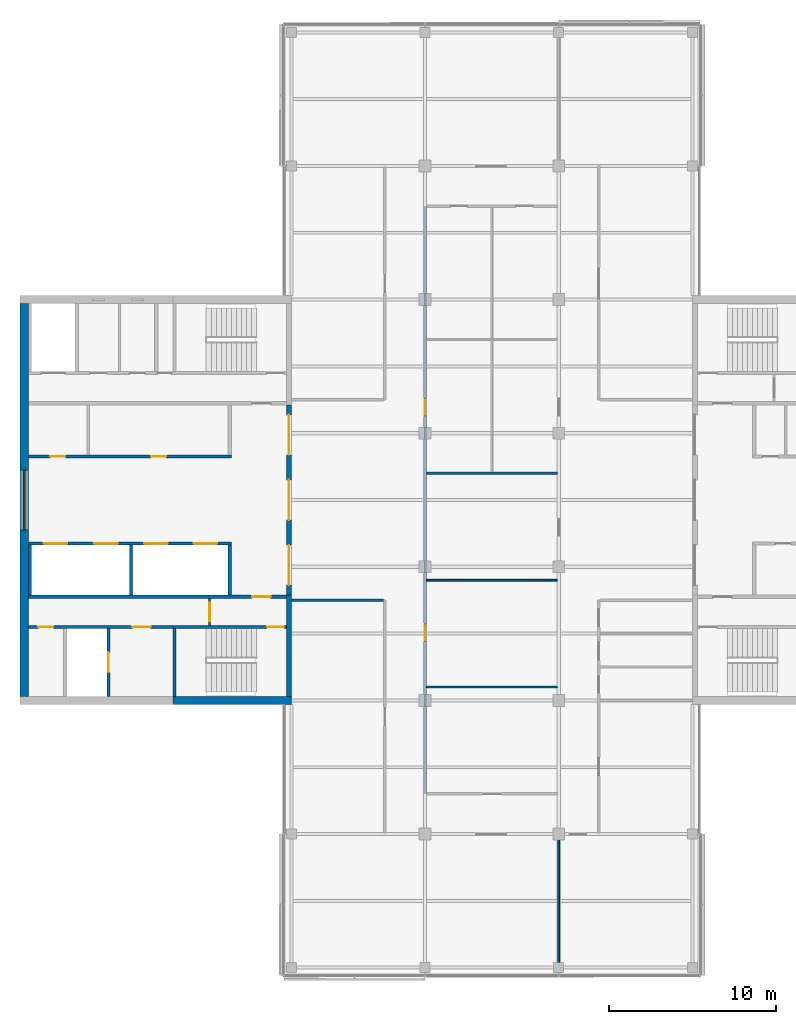
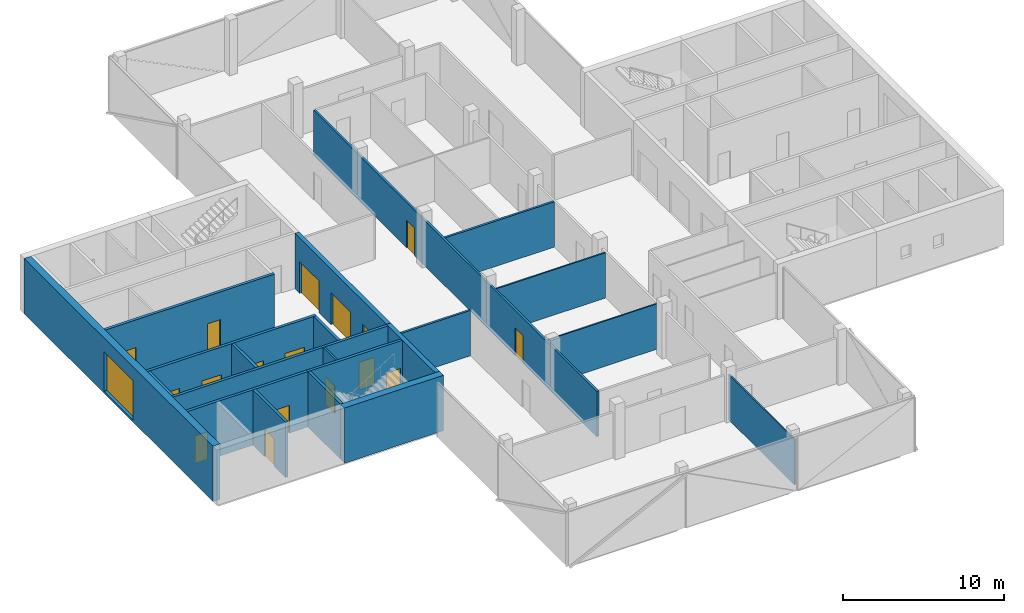
# One storey, part 9 of 15: 21 walls, 17 doors, 1 window, 18 openings.
"""IFC4 building model written with IfcOpenShell, lengths in metres."""

import ifcopenshell
import ifcopenshell.guid

model = None  # the IFC model being written
_history = None  # IfcOwnerHistory: only IFC2X3 demands one
_inside = {}  # id of a spatial element -> (the spatial element, [elements in it])
_under = {}  # id of a project, library or spatial element -> (it, [spatial elements below it])
_declared = {}  # id of a project -> (the project, [libraries it declares])
_typed = {}  # id of a type object -> (the type object, [elements of that type])
_made_of = {}  # id of a material, layer set ... -> (it, [elements and type objects made of it])


def new_model(schema):
    """Start an empty IFC model of exactly this schema.

    Asked for "IFC4X3", IfcOpenShell would pick the latest addendum, in which some entities
    have other attributes; the version numbers below select the first issue.
    IFC2X3 requires an IfcOwnerHistory on every rooted entity: one is made here for all.
    """
    global model, _history
    if schema == "IFC4X3":
        model = ifcopenshell.file(schema_version=(4, 3, 0, 0))
    else:
        model = ifcopenshell.file(schema=schema)
    _inside.clear()
    _under.clear()
    _declared.clear()
    _typed.clear()
    _made_of.clear()
    _history = None
    if model.schema == "IFC2X3":
        org = make("IfcOrganization", Name="unknown")
        user = make(
            "IfcPersonAndOrganization",
            ThePerson=make("IfcPerson", FamilyName="unknown"),
            TheOrganization=org,
        )
        app = make(
            "IfcApplication",
            ApplicationDeveloper=org,
            Version="unknown",
            ApplicationFullName="unknown",
            ApplicationIdentifier="unknown",
        )
        _history = make(
            "IfcOwnerHistory",
            OwningUser=user,
            OwningApplication=app,
            ChangeAction="ADDED",
            CreationDate=0,
        )
    return model


def make(cls, **values):
    """One entity of the class cls with the attributes given. An attribute that is None is left unset."""
    return model.create_entity(
        cls, **{name: value for name, value in values.items() if value is not None}
    )


def rooted(cls, **values):
    """An entity with a GlobalId (a new one), such as an element, a storey or a relation."""
    return make(cls, GlobalId=ifcopenshell.guid.new(), OwnerHistory=_history, **values)


def si_unit(unit_type, name, prefix=None):
    """IfcSIUnit, for example si_unit("LENGTHUNIT", "METRE", prefix="MILLI")."""
    return make("IfcSIUnit", UnitType=unit_type, Prefix=prefix, Name=name)


def assignment(units):
    """IfcUnitAssignment: the units of a project."""
    return None if units is None else make("IfcUnitAssignment", Units=units)


def point(xyz):
    """IfcCartesianPoint."""
    return None if xyz is None else make("IfcCartesianPoint", Coordinates=xyz)


def direction(xyz):
    """IfcDirection."""
    return None if xyz is None else make("IfcDirection", DirectionRatios=xyz)


def frame(location, z_axis=None, x_axis=None):
    """IfcAxis2Placement3D, a coordinate frame: its origin and axes. An axis left out is left unset."""
    return make(
        "IfcAxis2Placement3D",
        Location=point(location),
        Axis=direction(z_axis),
        RefDirection=direction(x_axis),
    )


def frame_2d(location, x_axis=None):
    """IfcAxis2Placement2D, a coordinate frame in the plane: its origin and x axis."""
    return make(
        "IfcAxis2Placement2D", Location=point(location), RefDirection=direction(x_axis)
    )


def origin():
    """The frame at (0, 0, 0) with its axes left unset."""
    return frame((0.0, 0.0, 0.0))


def place(relative_to, where):
    """IfcLocalPlacement: puts the frame where relative to a parent placement (None: the world)."""
    return make(
        "IfcLocalPlacement", PlacementRelTo=relative_to, RelativePlacement=where
    )


def context(
    kind, dimensions, precision=None, world=None, true_north=None, identifier=None
):
    """IfcGeometricRepresentationContext, for example the 3D "Model" context."""
    return make(
        "IfcGeometricRepresentationContext",
        ContextIdentifier=identifier,
        ContextType=kind,
        CoordinateSpaceDimension=dimensions,
        Precision=precision,
        WorldCoordinateSystem=world,
        TrueNorth=true_north,
    )


def subcontext(parent, identifier, kind, view, scale=None):
    """IfcGeometricRepresentationSubContext, for example "Body" below "Model"."""
    return make(
        "IfcGeometricRepresentationSubContext",
        ContextIdentifier=identifier,
        ContextType=kind,
        ParentContext=parent,
        TargetScale=scale,
        TargetView=view,
    )


def project(units=None, contexts=None):
    """IfcProject with its units and contexts."""
    return rooted(
        "IfcProject",
        Name="project",
        RepresentationContexts=contexts,
        UnitsInContext=assignment(units),
    )


def spatial(cls, under=None, at=None, **own):
    """A site, building, storey or space (cls), placed at a placement, below another one or the project."""
    s = rooted(cls, ObjectPlacement=at, **own)
    if under is not None:
        _under.setdefault(under.id(), (under, []))[1].append(s)
    return s


def profile(cls, at=None, kind="AREA", **sizes):
    """A parametric profile (cls). Its sizes go by their IFC names, for example OverallWidth=200.0."""
    return make(cls, ProfileType=kind, Position=at, **sizes)


def rectangle(**sizes):
    """IfcRectangleProfileDef."""
    return profile("IfcRectangleProfileDef", **sizes)


def extrude(swept, where, along, depth):
    """IfcExtrudedAreaSolid: the profile swept, set in the frame where, extruded along a direction by depth."""
    return make(
        "IfcExtrudedAreaSolid",
        SweptArea=swept,
        Position=where,
        ExtrudedDirection=direction(along),
        Depth=depth,
    )


def shape(context_of_items, identifier, shape_type, items):
    """IfcShapeRepresentation: the items that make up one representation, for example the "Body"."""
    return make(
        "IfcShapeRepresentation",
        ContextOfItems=context_of_items,
        RepresentationIdentifier=identifier,
        RepresentationType=shape_type,
        Items=items,
    )


def material(Name=None, Category=None):
    """IfcMaterial."""
    return make("IfcMaterial", Name=Name, Category=Category)


def layer(
    of_material, thickness, ventilated=None, Name=None, Category=None, Priority=None
):
    """IfcMaterialLayer: one layer of a wall or slab, of a material (None: an air gap)."""
    return make(
        "IfcMaterialLayer",
        Material=of_material,
        LayerThickness=thickness,
        IsVentilated=ventilated,
        Name=Name,
        Category=Category,
        Priority=Priority,
    )


def layer_set(layers, Name=None):
    """IfcMaterialLayerSet."""
    return make("IfcMaterialLayerSet", MaterialLayers=layers, LayerSetName=Name)


def constituent(of_material, Name=None, Category=None, fraction=None):
    """IfcMaterialConstituent: one of the materials an element consists of."""
    return make(
        "IfcMaterialConstituent",
        Name=Name,
        Material=of_material,
        Fraction=fraction,
        Category=Category,
    )


def constituent_set(constituents=None, Name=None):
    """IfcMaterialConstituentSet."""
    return make(
        "IfcMaterialConstituentSet", Name=Name, MaterialConstituents=constituents
    )


def made_of(thing, what):
    """Note that an element or type object is made of a material, layer set ...; save() writes the relation."""
    if what is not None:
        _made_of.setdefault(what.id(), (what, []))[1].append(thing)
    return thing


def type_object(cls, material=None, **own):
    """A type object (cls), such as IfcWallType, which elements share."""
    return made_of(rooted(cls, **own), material)


def element(
    cls,
    number,
    at=None,
    inside=None,
    cuts=None,
    type_object=None,
    material=None,
    context=None,
    identifier="Body",
    shape_type=None,
    held_by="IfcProductDefinitionShape",
    body=None,
    shapes=None,
    **own,
):
    """One element of the class cls, such as IfcWall. Its Tag is "e" and its number.

    at: its placement. inside: the storey or other place that contains it. cuts: it is an
    opening in that element (IfcRelVoidsElement). A single representation is given by context,
    identifier, shape_type and body (its items); several are given by shapes. held_by: the class
    of the entity that holds the representations. save() writes the other relations.
    """
    e = rooted(cls, Tag="e%d" % number, ObjectPlacement=at, **own)
    if body is not None:
        shapes = [shape(context, identifier, shape_type, body)]
    if shapes is not None:
        e.Representation = make(held_by, Representations=shapes)
    if inside is not None:
        _inside.setdefault(inside.id(), (inside, []))[1].append(e)
    if cuts is not None:
        rooted(
            "IfcRelVoidsElement", RelatingBuildingElement=cuts, RelatedOpeningElement=e
        )
    if type_object is not None:
        _typed.setdefault(type_object.id(), (type_object, []))[1].append(e)
    return made_of(e, material)


def fill(opening, filler):
    """IfcRelFillsElement: the door or window that sits in an opening."""
    return rooted(
        "IfcRelFillsElement",
        RelatingOpeningElement=opening,
        RelatedBuildingElement=filler,
    )


def aggregate(whole, parts):
    """IfcRelAggregates: a whole, such as a stair, and the parts it consists of."""
    return rooted("IfcRelAggregates", RelatingObject=whole, RelatedObjects=parts)


def save(model, path):
    """Write the relations noted so far, then the file.

    IfcRelAggregates (storeys below a building ...), IfcRelContainedInSpatialStructure (elements
    in a storey), IfcRelDefinesByType, IfcRelAssociatesMaterial and IfcRelDeclares: one each for
    every whole, place, type object, material and project.
    """
    for whole, parts in _under.values():
        aggregate(whole, parts)
    for where, things in _inside.values():
        rooted(
            "IfcRelContainedInSpatialStructure",
            RelatedElements=things,
            RelatingStructure=where,
        )
    for kind, things in _typed.values():
        rooted("IfcRelDefinesByType", RelatedObjects=things, RelatingType=kind)
    for what, things in _made_of.values():
        rooted("IfcRelAssociatesMaterial", RelatedObjects=things, RelatingMaterial=what)
    for by, libraries in _declared.values():
        rooted("IfcRelDeclares", RelatingContext=by, RelatedDefinitions=libraries)
    model.write(path)


model = new_model("IFC4")

# Units and contexts
model_context = context("Model", 3, precision=1e-05, world=origin(), true_north=direction((0.0, 1.0)))
body_context = subcontext(model_context, "Body", "Model", "MODEL_VIEW")
ifc_project = project(units=[si_unit("LENGTHUNIT", "METRE"), si_unit("AREAUNIT", "SQUARE_METRE"), si_unit("VOLUMEUNIT", "CUBIC_METRE"), si_unit("PLANEANGLEUNIT", "RADIAN"), si_unit("MASSUNIT", "GRAM", prefix="KILO")], contexts=[model_context])

# Site, building, storey
site_placement = place(None, origin())
site = spatial("IfcSite", under=ifc_project, at=site_placement, CompositionType="ELEMENT")
building_placement = place(site_placement, origin())
building = spatial("IfcBuilding", under=site, at=building_placement, Name="Crosswind Convention Tower", CompositionType="ELEMENT")
storey_placement = place(building_placement, frame((0.0, 0.0, 257.699951171875)))
storey = spatial("IfcBuildingStorey", under=building, at=storey_placement, Name="L55", CompositionType="ELEMENT", Elevation=257.699951171875)

# Wall, openings, doors
ifc_material_1 = material(Name="Concrete C50/60", Category="concrete")
ifc_layer_1 = layer(ifc_material_1, 0.300048828125)
ifc_layer_set_1 = layer_set([ifc_layer_1], Name="Concrete C50/60")
wall_type_1 = type_object("IfcWallType", Name="Concrete inner core wall 300", PredefinedType="SHEAR", material=ifc_layer_set_1)
wall_1_placement = place(storey_placement, frame((112.85009765625, 105.699951171875, 0.0), z_axis=(0.0, 0.0, 1.0), x_axis=(0.0, -1.0, 0.0)))
wall_1 = element("IfcWall", 1, at=wall_1_placement, inside=storey, type_object=wall_type_1, Name="Wall SCR W L55", PredefinedType="SHEAR", context=body_context, shape_type="SweptSolid", body=[
    extrude(rectangle(XDim=11.39990234375, YDim=0.300048828125, at=frame_2d((5.699951171875, 0.0))), origin(), (0.0, 0.0, 1.0), 4.199951171875),
])
opening_1_placement = place(wall_1_placement, frame((0.60009765625, 0.0, 0.0)))
opening_1 = element("IfcOpeningElement", 2, at=opening_1_placement, cuts=wall_1, Name="Opening D100", PredefinedType="OPENING", context=body_context, shape_type="SweptSolid", body=[
    extrude(rectangle(XDim=2.39990234375, YDim=2.39990234375, at=frame_2d((1.199951171875, 1.199951171875))), frame((0.0, 0.159912109375, 0.0), z_axis=(0.0, -1.0, 0.0), x_axis=(1.0, 0.0, 0.0)), (0.0, 0.0, 1.0), 0.320068359375),
])
opening_2_placement = place(wall_1_placement, frame((4.5, 0.0, 0.0)))
opening_2 = element("IfcOpeningElement", 3, at=opening_2_placement, cuts=wall_1, Name="Opening D100", PredefinedType="OPENING", context=body_context, shape_type="SweptSolid", body=[
    extrude(rectangle(XDim=2.39990234375, YDim=2.39990234375, at=frame_2d((1.199951171875, 1.199951171875))), frame((0.0, 0.159912109375, 0.0), z_axis=(0.0, -1.0, 0.0), x_axis=(1.0, 0.0, 0.0)), (0.0, 0.0, 1.0), 0.320068359375),
])
opening_3_placement = place(wall_1_placement, frame((8.39990234375, 0.0, 0.0)))
opening_3 = element("IfcOpeningElement", 4, at=opening_3_placement, cuts=wall_1, Name="Opening D100", PredefinedType="OPENING", context=body_context, shape_type="SweptSolid", body=[
    extrude(rectangle(XDim=2.39990234375, YDim=2.39990234375, at=frame_2d((1.199951171875, 1.199951171875))), frame((0.0, 0.159912109375, 0.0), z_axis=(0.0, -1.0, 0.0), x_axis=(1.0, 0.0, 0.0)), (0.0, 0.0, 1.0), 0.320068359375),
])
ifc_material_2 = material(Name="Steel fire door with glazed vision panels", Category="steel")
door_type_1 = type_object("IfcDoorType", Name="Fire-rated double door 2400x2400", OperationType="DOUBLE_DOOR_SINGLE_SWING", PredefinedType="DOOR", material=ifc_material_2)
door_1_placement = place(opening_1_placement, origin())
door_1 = element("IfcDoor", 5, at=door_1_placement, inside=storey, type_object=door_type_1, Name="Lobby door 1 L55", ObjectType="D100", OperationType="DOUBLE_DOOR_SINGLE_SWING", OverallHeight=2.39990234375, OverallWidth=2.39990234375, PredefinedType="DOOR", context=body_context, shape_type="SweptSolid", body=[
    extrude(rectangle(XDim=2.39990234375, YDim=2.39990234375, at=frame_2d((1.199951171875, 1.199951171875))), frame((0.0, 0.02490234375, 0.0), z_axis=(0.0, -1.0, 0.0), x_axis=(1.0, 0.0, 0.0)), (0.0, 0.0, 1.0), 0.050048828125),
])
fill(opening_1, door_1)
door_2_placement = place(opening_2_placement, origin())
door_2 = element("IfcDoor", 6, at=door_2_placement, inside=storey, type_object=door_type_1, Name="Lobby door 2 L55", ObjectType="D100", OperationType="DOUBLE_DOOR_SINGLE_SWING", OverallHeight=2.39990234375, OverallWidth=2.39990234375, PredefinedType="DOOR", context=body_context, shape_type="SweptSolid", body=[
    extrude(rectangle(XDim=2.39990234375, YDim=2.39990234375, at=frame_2d((1.199951171875, 1.199951171875))), frame((0.0, 0.02490234375, 0.0), z_axis=(0.0, -1.0, 0.0), x_axis=(1.0, 0.0, 0.0)), (0.0, 0.0, 1.0), 0.050048828125),
])
fill(opening_2, door_2)
door_3_placement = place(opening_3_placement, origin())
door_3 = element("IfcDoor", 7, at=door_3_placement, inside=storey, type_object=door_type_1, Name="Lobby door 3 L55", ObjectType="D100", OperationType="DOUBLE_DOOR_SINGLE_SWING", OverallHeight=2.39990234375, OverallWidth=2.39990234375, PredefinedType="DOOR", context=body_context, shape_type="SweptSolid", body=[
    extrude(rectangle(XDim=2.39990234375, YDim=2.39990234375, at=frame_2d((1.199951171875, 1.199951171875))), frame((0.0, 0.02490234375, 0.0), z_axis=(0.0, -1.0, 0.0), x_axis=(1.0, 0.0, 0.0)), (0.0, 0.0, 1.0), 0.050048828125),
])
fill(opening_3, door_3)

# Walls
wall_2_placement = place(storey_placement, frame((112.85009765625, 94.300048828125, 0.0), z_axis=(0.0, 0.0, 1.0), x_axis=(0.0, -1.0, 0.0)))
element("IfcWall", 8, at=wall_2_placement, inside=storey, type_object=wall_type_1, Name="Wall EP W L55", PredefinedType="SHEAR", context=body_context, shape_type="SweptSolid", body=[
    extrude(rectangle(XDim=6.050048828125, YDim=0.300048828125, at=frame_2d((3.02490234375, 0.0))), origin(), (0.0, 0.0, 1.0), 4.199951171875),
])
ifc_layer_2 = layer(ifc_material_1, 0.199951171875)
ifc_layer_set_2 = layer_set([ifc_layer_2], Name="Concrete C50/60")
wall_type_2 = type_object("IfcWallType", Name="Concrete shaft and stair wall 200", PredefinedType="SHEAR", material=ifc_layer_set_2)
for number, where, z_axis, x_axis, name in (
    (9, (109.300048828125, 97.300048828125, 0.0), (0.0, 0.0, 1.0), (0.0, -1.0, 0.0), "Wall RPEND W L55"),
    (10, (103.39990234375, 97.300048828125, 0.0), (0.0, 0.0, 1.0), (0.0, -1.0, 0.0), "Wall RPSEP W L55"),
    (11, (97.35009765625, 97.300048828125, 0.0), (0.0, 0.0, 1.0), (0.0, -1.0, 0.0), "Wall RPEAST W L55"),
):
    element("IfcWall", number, at=place(storey_placement, frame(where, z_axis=z_axis, x_axis=x_axis)), inside=storey, type_object=wall_type_2, Name=name, PredefinedType="SHEAR", context=body_context, shape_type="SweptSolid", body=[
        extrude(rectangle(XDim=3.0, YDim=0.199951171875, at=frame_2d((1.5, 0.0))), origin(), (0.0, 0.0, 1.0), 4.199951171875),
    ])

# Wall, openings, doors
wall_3_placement = place(storey_placement, frame((109.39990234375, 97.39990234375, 0.0), z_axis=(0.0, 0.0, 1.0), x_axis=(-1.0, 0.0, 0.0)))
wall_3 = element("IfcWall", 12, at=wall_3_placement, inside=storey, type_object=wall_type_2, Name="Wall RPFRONT W L55", PredefinedType="SHEAR", context=body_context, shape_type="SweptSolid", body=[
    extrude(rectangle(XDim=12.14990234375, YDim=0.199951171875, at=frame_2d((6.074951171875, 0.0))), origin(), (0.0, 0.0, 1.0), 4.199951171875),
])
opening_4_placement = place(wall_3_placement, frame((0.85009765625, 0.0, 0.0)))
opening_4 = element("IfcOpeningElement", 13, at=opening_4_placement, cuts=wall_3, Name="Opening LD2", PredefinedType="OPENING", context=body_context, shape_type="SweptSolid", body=[
    extrude(rectangle(XDim=1.39990234375, YDim=2.10009765625, at=frame_2d((0.699951171875, 1.050048828125))), frame((0.0, 0.10986328125, 0.0), z_axis=(0.0, -1.0, 0.0), x_axis=(1.0, 0.0, 0.0)), (0.0, 0.0, 1.0), 0.219970703125),
])
opening_5_placement = place(wall_3_placement, frame((3.800048828125, 0.0, 0.0)))
opening_5 = element("IfcOpeningElement", 14, at=opening_5_placement, cuts=wall_3, Name="Opening LD2", PredefinedType="OPENING", context=body_context, shape_type="SweptSolid", body=[
    extrude(rectangle(XDim=1.39990234375, YDim=2.10009765625, at=frame_2d((0.699951171875, 1.050048828125))), frame((0.0, 0.10986328125, 0.0), z_axis=(0.0, -1.0, 0.0), x_axis=(1.0, 0.0, 0.0)), (0.0, 0.0, 1.0), 0.219970703125),
])
opening_6_placement = place(wall_3_placement, frame((6.800048828125, 0.0, 0.0)))
opening_6 = element("IfcOpeningElement", 15, at=opening_6_placement, cuts=wall_3, Name="Opening LD2", PredefinedType="OPENING", context=body_context, shape_type="SweptSolid", body=[
    extrude(rectangle(XDim=1.39990234375, YDim=2.10009765625, at=frame_2d((0.699951171875, 1.050048828125))), frame((0.0, 0.10986328125, 0.0), z_axis=(0.0, -1.0, 0.0), x_axis=(1.0, 0.0, 0.0)), (0.0, 0.0, 1.0), 0.219970703125),
])
opening_7_placement = place(wall_3_placement, frame((9.824951171875, 0.0, 0.0)))
opening_7 = element("IfcOpeningElement", 16, at=opening_7_placement, cuts=wall_3, Name="Opening LD2", PredefinedType="OPENING", context=body_context, shape_type="SweptSolid", body=[
    extrude(rectangle(XDim=1.39990234375, YDim=2.10009765625, at=frame_2d((0.699951171875, 1.050048828125))), frame((0.0, 0.10986328125, 0.0), z_axis=(0.0, -1.0, 0.0), x_axis=(1.0, 0.0, 0.0)), (0.0, 0.0, 1.0), 0.219970703125),
])
ifc_material_3 = material(Name="Stainless steel", Category="steel")
door_type_2 = type_object("IfcDoorType", Name="Lift landing door 1400x2100", OperationType="DOUBLE_DOOR_SLIDING", PredefinedType="DOOR", material=ifc_material_3)
door_4_placement = place(opening_4_placement, origin())
door_4 = element("IfcDoor", 17, at=door_4_placement, inside=storey, type_object=door_type_2, Name="Landing door HR1 L55", ObjectType="LD2", OperationType="DOUBLE_DOOR_SLIDING", OverallHeight=2.10009765625, OverallWidth=1.39990234375, PredefinedType="DOOR", context=body_context, shape_type="SweptSolid", body=[
    extrude(rectangle(XDim=1.39990234375, YDim=2.10009765625, at=frame_2d((0.699951171875, 1.050048828125))), frame((0.0, 0.02490234375, 0.0), z_axis=(0.0, -1.0, 0.0), x_axis=(1.0, 0.0, 0.0)), (0.0, 0.0, 1.0), 0.050048828125),
])
fill(opening_4, door_4)
door_5_placement = place(opening_5_placement, origin())
door_5 = element("IfcDoor", 18, at=door_5_placement, inside=storey, type_object=door_type_2, Name="Landing door HR2 L55", ObjectType="LD2", OperationType="DOUBLE_DOOR_SLIDING", OverallHeight=2.10009765625, OverallWidth=1.39990234375, PredefinedType="DOOR", context=body_context, shape_type="SweptSolid", body=[
    extrude(rectangle(XDim=1.39990234375, YDim=2.10009765625, at=frame_2d((0.699951171875, 1.050048828125))), frame((0.0, 0.02490234375, 0.0), z_axis=(0.0, -1.0, 0.0), x_axis=(1.0, 0.0, 0.0)), (0.0, 0.0, 1.0), 0.050048828125),
])
fill(opening_5, door_5)
door_6_placement = place(opening_6_placement, origin())
door_6 = element("IfcDoor", 19, at=door_6_placement, inside=storey, type_object=door_type_2, Name="Landing door HR3 L55", ObjectType="LD2", OperationType="DOUBLE_DOOR_SLIDING", OverallHeight=2.10009765625, OverallWidth=1.39990234375, PredefinedType="DOOR", context=body_context, shape_type="SweptSolid", body=[
    extrude(rectangle(XDim=1.39990234375, YDim=2.10009765625, at=frame_2d((0.699951171875, 1.050048828125))), frame((0.0, 0.02490234375, 0.0), z_axis=(0.0, -1.0, 0.0), x_axis=(1.0, 0.0, 0.0)), (0.0, 0.0, 1.0), 0.050048828125),
])
fill(opening_6, door_6)
door_7_placement = place(opening_7_placement, origin())
door_7 = element("IfcDoor", 20, at=door_7_placement, inside=storey, type_object=door_type_2, Name="Landing door HR4 L55", ObjectType="LD2", OperationType="DOUBLE_DOOR_SLIDING", OverallHeight=2.10009765625, OverallWidth=1.39990234375, PredefinedType="DOOR", context=body_context, shape_type="SweptSolid", body=[
    extrude(rectangle(XDim=1.39990234375, YDim=2.10009765625, at=frame_2d((0.699951171875, 1.050048828125))), frame((0.0, 0.02490234375, 0.0), z_axis=(0.0, -1.0, 0.0), x_axis=(1.0, 0.0, 0.0)), (0.0, 0.0, 1.0), 0.050048828125),
])
fill(opening_7, door_7)

wall_4_placement = place(storey_placement, frame((109.39990234375, 102.60009765625, 0.0), z_axis=(0.0, 0.0, 1.0), x_axis=(-1.0, 0.0, 0.0)))
wall_4 = element("IfcWall", 21, at=wall_4_placement, inside=storey, type_object=wall_type_2, Name="Wall RMFRONT W L55", PredefinedType="SHEAR", context=body_context, shape_type="SweptSolid", body=[
    extrude(rectangle(XDim=12.14990234375, YDim=0.199951171875, at=frame_2d((6.074951171875, 0.0))), origin(), (0.0, 0.0, 1.0), 4.199951171875),
])
opening_8_placement = place(wall_4_placement, frame((3.9013671875, 0.0, 0.0)))
opening_8 = element("IfcOpeningElement", 22, at=opening_8_placement, cuts=wall_4, Name="Opening D106", PredefinedType="OPENING", context=body_context, shape_type="SweptSolid", body=[
    extrude(rectangle(XDim=0.89990234375, YDim=2.10009765625, at=frame_2d((0.449951171875, 1.050048828125))), frame((0.0, 0.10986328125, 0.0), z_axis=(0.0, -1.0, 0.0), x_axis=(1.0, 0.0, 0.0)), (0.0, 0.0, 1.0), 0.219970703125),
])
opening_9_placement = place(wall_4_placement, frame((9.938720703125, 0.0, 0.0)))
opening_9 = element("IfcOpeningElement", 23, at=opening_9_placement, cuts=wall_4, Name="Opening D106", PredefinedType="OPENING", context=body_context, shape_type="SweptSolid", body=[
    extrude(rectangle(XDim=0.89990234375, YDim=2.10009765625, at=frame_2d((0.449951171875, 1.050048828125))), frame((0.0, 0.10986328125, 0.0), z_axis=(0.0, -1.0, 0.0), x_axis=(1.0, 0.0, 0.0)), (0.0, 0.0, 1.0), 0.219970703125),
])
ifc_material_4 = material(Name="Timber door", Category="wood")
door_type_3 = type_object("IfcDoorType", Name="Single leaf door 900x2100", OperationType="NOTDEFINED", PredefinedType="DOOR", material=ifc_material_4)
door_8_placement = place(opening_8_placement, frame((0.89990234375, 0.0, 0.0), z_axis=(0.0, 0.0, 1.0), x_axis=(-1.0, 0.0, 0.0)))
door_8 = element("IfcDoor", 24, at=door_8_placement, inside=storey, type_object=door_type_3, Name="Door to pantry L55", ObjectType="D106", OperationType="SINGLE_SWING_LEFT", OverallHeight=2.10009765625, OverallWidth=0.89990234375, PredefinedType="DOOR", context=body_context, shape_type="SweptSolid", body=[
    extrude(rectangle(XDim=0.89990234375, YDim=2.10009765625, at=frame_2d((0.449951171875, 1.050048828125))), frame((0.0, 0.02490234375, 0.0), z_axis=(0.0, -1.0, 0.0), x_axis=(1.0, 0.0, 0.0)), (0.0, 0.0, 1.0), 0.050048828125),
])
fill(opening_8, door_8)
door_9_placement = place(opening_9_placement, frame((0.89990234375, 0.0, 0.0), z_axis=(0.0, 0.0, 1.0), x_axis=(-1.0, 0.0, 0.0)))
door_9 = element("IfcDoor", 25, at=door_9_placement, inside=storey, type_object=door_type_3, Name="Door to telecoms room L55", ObjectType="D106", OperationType="SINGLE_SWING_LEFT", OverallHeight=2.10009765625, OverallWidth=0.89990234375, PredefinedType="DOOR", context=body_context, shape_type="SweptSolid", body=[
    extrude(rectangle(XDim=0.89990234375, YDim=2.10009765625, at=frame_2d((0.449951171875, 1.050048828125))), frame((0.0, 0.02490234375, 0.0), z_axis=(0.0, -1.0, 0.0), x_axis=(1.0, 0.0, 0.0)), (0.0, 0.0, 1.0), 0.050048828125),
])
fill(opening_9, door_9)

# Wall, opening, door
wall_5_placement = place(storey_placement, frame((112.699951171875, 94.199951171875, 0.0), z_axis=(0.0, 0.0, 1.0), x_axis=(-1.0, 0.0, 0.0)))
wall_5 = element("IfcWall", 26, at=wall_5_placement, inside=storey, type_object=wall_type_2, Name="Wall HP W L55", PredefinedType="SHEAR", context=body_context, shape_type="SweptSolid", body=[
    extrude(rectangle(XDim=15.449951171875, YDim=0.199951171875, at=frame_2d((7.72509765625, 0.0))), origin(), (0.0, 0.0, 1.0), 4.199951171875),
])
opening_10_placement = place(wall_5_placement, frame((0.949951171875, 0.0, 0.0)))
opening_10 = element("IfcOpeningElement", 27, at=opening_10_placement, cuts=wall_5, Name="Opening D104", PredefinedType="OPENING", context=body_context, shape_type="SweptSolid", body=[
    extrude(rectangle(XDim=1.10009765625, YDim=2.10009765625, at=frame_2d((0.550048828125, 1.050048828125))), frame((0.0, 0.10986328125, 0.0), z_axis=(0.0, -1.0, 0.0), x_axis=(1.0, 0.0, 0.0)), (0.0, 0.0, 1.0), 0.219970703125),
])
ifc_material_5 = material(Name="Steel fire door", Category="steel")
door_type_4 = type_object("IfcDoorType", Name="Fire-rated single door 1100x2100", OperationType="NOTDEFINED", PredefinedType="DOOR", material=ifc_material_5)
door_10_placement = place(opening_10_placement, origin())
door_10 = element("IfcDoor", 28, at=door_10_placement, inside=storey, type_object=door_type_4, Name="Corridor door L55", ObjectType="D104", OperationType="SINGLE_SWING_LEFT", OverallHeight=2.10009765625, OverallWidth=1.10009765625, PredefinedType="DOOR", context=body_context, shape_type="SweptSolid", body=[
    extrude(rectangle(XDim=1.10009765625, YDim=2.10009765625, at=frame_2d((0.550048828125, 1.050048828125))), frame((0.0, 0.02490234375, 0.0), z_axis=(0.0, -1.0, 0.0), x_axis=(1.0, 0.0, 0.0)), (0.0, 0.0, 1.0), 0.050048828125),
])
fill(opening_10, door_10)

# Wall
wall_6_placement = place(storey_placement, frame((106.0, 92.300048828125, 0.0), z_axis=(0.0, 0.0, 1.0), x_axis=(0.0, -1.0, 0.0)))
element("IfcWall", 29, at=wall_6_placement, inside=storey, type_object=wall_type_2, Name="Wall PSE W L55", PredefinedType="SHEAR", context=body_context, shape_type="SweptSolid", body=[
    extrude(rectangle(XDim=4.050048828125, YDim=0.199951171875, at=frame_2d((2.02490234375, 0.0))), origin(), (0.0, 0.0, 1.0), 4.199951171875),
])

# Wall, opening, door
wall_7_placement = place(storey_placement, frame((102.050048828125, 92.300048828125, 0.0), z_axis=(0.0, 0.0, 1.0), x_axis=(0.0, -1.0, 0.0)))
wall_7 = element("IfcWall", 30, at=wall_7_placement, inside=storey, type_object=wall_type_2, Name="Wall PFLW W L55", PredefinedType="SHEAR", context=body_context, shape_type="SweptSolid", body=[
    extrude(rectangle(XDim=4.050048828125, YDim=0.199951171875, at=frame_2d((2.02490234375, 0.0))), origin(), (0.0, 0.0, 1.0), 4.199951171875),
])
opening_11_placement = place(wall_7_placement, frame((1.425048828125, 0.0, 0.0)))
opening_11 = element("IfcOpeningElement", 31, at=opening_11_placement, cuts=wall_7, Name="Opening LD1", PredefinedType="OPENING", context=body_context, shape_type="SweptSolid", body=[
    extrude(rectangle(XDim=1.199951171875, YDim=2.10009765625, at=frame_2d((0.60009765625, 1.050048828125))), frame((0.0, 0.10986328125, 0.0), z_axis=(0.0, -1.0, 0.0), x_axis=(1.0, 0.0, 0.0)), (0.0, 0.0, 1.0), 0.219970703125),
])
door_type_5 = type_object("IfcDoorType", Name="Lift landing door 1200x2100", OperationType="DOUBLE_DOOR_SLIDING", PredefinedType="DOOR", material=ifc_material_3)
door_11_placement = place(opening_11_placement, origin())
door_11 = element("IfcDoor", 32, at=door_11_placement, inside=storey, type_object=door_type_5, Name="Landing door FF2 L55", ObjectType="LD1", OperationType="DOUBLE_DOOR_SLIDING", OverallHeight=2.10009765625, OverallWidth=1.199951171875, PredefinedType="DOOR", context=body_context, shape_type="SweptSolid", body=[
    extrude(rectangle(XDim=1.199951171875, YDim=2.10009765625, at=frame_2d((0.60009765625, 1.050048828125))), frame((0.0, 0.02490234375, 0.0), z_axis=(0.0, -1.0, 0.0), x_axis=(1.0, 0.0, 0.0)), (0.0, 0.0, 1.0), 0.050048828125),
])
fill(opening_11, door_11)

wall_8_placement = place(storey_placement, frame((112.699951171875, 92.39990234375, 0.0), z_axis=(0.0, 0.0, 1.0), x_axis=(-1.0, 0.0, 0.0)))
wall_8 = element("IfcWall", 33, at=wall_8_placement, inside=storey, type_object=wall_type_2, Name="Wall PCW W L55", PredefinedType="SHEAR", context=body_context, shape_type="SweptSolid", body=[
    extrude(rectangle(XDim=6.800048828125, YDim=0.199951171875, at=frame_2d((3.39990234375, 0.0))), origin(), (0.0, 0.0, 1.0), 4.199951171875),
])
opening_12_placement = place(wall_8_placement, frame((0.14990234375, 0.0, 0.0)))
opening_12 = element("IfcOpeningElement", 34, at=opening_12_placement, cuts=wall_8, Name="Opening D103", PredefinedType="OPENING", context=body_context, shape_type="SweptSolid", body=[
    extrude(rectangle(XDim=1.0, YDim=2.10009765625, at=frame_2d((0.5, 1.050048828125))), frame((0.0, 0.10986328125, 0.0), z_axis=(0.0, -1.0, 0.0), x_axis=(1.0, 0.0, 0.0)), (0.0, 0.0, 1.0), 0.219970703125),
])
door_type_6 = type_object("IfcDoorType", Name="Fire-rated single door 1000x2100", OperationType="NOTDEFINED", PredefinedType="DOOR", material=ifc_material_5)
door_12_placement = place(opening_12_placement, origin())
door_12 = element("IfcDoor", 35, at=door_12_placement, inside=storey, type_object=door_type_6, Name="Stair ST3 door L55", ObjectType="D103", OperationType="SINGLE_SWING_LEFT", OverallHeight=2.10009765625, OverallWidth=1.0, PredefinedType="DOOR", context=body_context, shape_type="SweptSolid", body=[
    extrude(rectangle(XDim=1.0, YDim=2.10009765625, at=frame_2d((0.5, 1.050048828125))), frame((0.0, 0.02490234375, 0.0), z_axis=(0.0, -1.0, 0.0), x_axis=(1.0, 0.0, 0.0)), (0.0, 0.0, 1.0), 0.050048828125),
])
fill(opening_12, door_12)

# Wall, openings, doors
wall_9_placement = place(storey_placement, frame((105.89990234375, 92.39990234375, 0.0), z_axis=(0.0, 0.0, 1.0), x_axis=(-1.0, 0.0, 0.0)))
wall_9 = element("IfcWall", 36, at=wall_9_placement, inside=storey, type_object=wall_type_2, Name="Wall PCX W L55", PredefinedType="SHEAR", context=body_context, shape_type="SweptSolid", body=[
    extrude(rectangle(XDim=8.64990234375, YDim=0.199951171875, at=frame_2d((4.324951171875, 0.0))), origin(), (0.0, 0.0, 1.0), 4.199951171875),
])
opening_13_placement = place(wall_9_placement, frame((1.324951171875, 0.0, 0.0)))
opening_13 = element("IfcOpeningElement", 37, at=opening_13_placement, cuts=wall_9, Name="Opening D104", PredefinedType="OPENING", context=body_context, shape_type="SweptSolid", body=[
    extrude(rectangle(XDim=1.10009765625, YDim=2.10009765625, at=frame_2d((0.550048828125, 1.050048828125))), frame((0.0, 0.10986328125, 0.0), z_axis=(0.0, -1.0, 0.0), x_axis=(1.0, 0.0, 0.0)), (0.0, 0.0, 1.0), 0.219970703125),
])
opening_14_placement = place(wall_9_placement, frame((7.14990234375, 0.0, 0.0)))
opening_14 = element("IfcOpeningElement", 38, at=opening_14_placement, cuts=wall_9, Name="Opening D106", PredefinedType="OPENING", context=body_context, shape_type="SweptSolid", body=[
    extrude(rectangle(XDim=0.89990234375, YDim=2.10009765625, at=frame_2d((0.449951171875, 1.050048828125))), frame((0.0, 0.10986328125, 0.0), z_axis=(0.0, -1.0, 0.0), x_axis=(1.0, 0.0, 0.0)), (0.0, 0.0, 1.0), 0.219970703125),
])
door_13_placement = place(opening_13_placement, origin())
door_13 = element("IfcDoor", 39, at=door_13_placement, inside=storey, type_object=door_type_4, Name="Fire-fighting lobby FF2 door L55", ObjectType="D104", OperationType="SINGLE_SWING_RIGHT", OverallHeight=2.10009765625, OverallWidth=1.10009765625, PredefinedType="DOOR", context=body_context, shape_type="SweptSolid", body=[
    extrude(rectangle(XDim=1.10009765625, YDim=2.10009765625, at=frame_2d((0.550048828125, 1.050048828125))), frame((0.0, 0.02490234375, 0.0), z_axis=(0.0, -1.0, 0.0), x_axis=(1.0, 0.0, 0.0)), (0.0, 0.0, 1.0), 0.050048828125),
])
fill(opening_13, door_13)
door_14_placement = place(opening_14_placement, origin())
door_14 = element("IfcDoor", 40, at=door_14_placement, inside=storey, type_object=door_type_3, Name="Door to cleaners' store L55", ObjectType="D106", OperationType="SINGLE_SWING_RIGHT", OverallHeight=2.10009765625, OverallWidth=0.89990234375, PredefinedType="DOOR", context=body_context, shape_type="SweptSolid", body=[
    extrude(rectangle(XDim=0.89990234375, YDim=2.10009765625, at=frame_2d((0.449951171875, 1.050048828125))), frame((0.0, 0.02490234375, 0.0), z_axis=(0.0, -1.0, 0.0), x_axis=(1.0, 0.0, 0.0)), (0.0, 0.0, 1.0), 0.050048828125),
])
fill(opening_14, door_14)

# Wall, opening, door
ifc_material_6 = material(Name="Gypsum plasterboard partition", Category="gypsum")
ifc_layer_3 = layer(ifc_material_6, 0.125)
ifc_layer_set_3 = layer_set([ifc_layer_3], Name="Drywall partition wall 125")
wall_type_3 = type_object("IfcWallType", Name="Drywall partition wall 125", PredefinedType="PARTITIONING", material=ifc_layer_set_3)
wall_10_placement = place(storey_placement, frame((108.10009765625, 94.10009765625, 0.0), z_axis=(0.0, 0.0, 1.0), x_axis=(0.0, -1.0, 0.0)))
wall_10 = element("IfcWall", 41, at=wall_10_placement, inside=storey, type_object=wall_type_3, Name="Wall PXC1 W L55", PredefinedType="PARTITIONING", context=body_context, shape_type="SweptSolid", body=[
    extrude(rectangle(XDim=1.60009765625, YDim=0.125, at=frame_2d((0.800048828125, 0.0))), origin(), (0.0, 0.0, 1.0), 4.199951171875),
])
opening_15_placement = place(wall_10_placement, frame((0.25, 0.0, 0.0)))
opening_15 = element("IfcOpeningElement", 42, at=opening_15_placement, cuts=wall_10, Name="Opening D104", PredefinedType="OPENING", context=body_context, shape_type="SweptSolid", body=[
    extrude(rectangle(XDim=1.10009765625, YDim=2.10009765625, at=frame_2d((0.550048828125, 1.050048828125))), frame((0.0, 0.072509765625, 0.0), z_axis=(0.0, -1.0, 0.0), x_axis=(1.0, 0.0, 0.0)), (0.0, 0.0, 1.0), 0.14501953125),
])
door_15_placement = place(opening_15_placement, origin())
door_15 = element("IfcDoor", 43, at=door_15_placement, inside=storey, type_object=door_type_4, Name="Corridor smoke door L55", ObjectType="D104", OperationType="SINGLE_SWING_RIGHT", OverallHeight=2.10009765625, OverallWidth=1.10009765625, PredefinedType="DOOR", context=body_context, shape_type="SweptSolid", body=[
    extrude(rectangle(XDim=1.10009765625, YDim=2.10009765625, at=frame_2d((0.550048828125, 1.050048828125))), frame((0.0, 0.02490234375, 0.0), z_axis=(0.0, -1.0, 0.0), x_axis=(1.0, 0.0, 0.0)), (0.0, 0.0, 1.0), 0.050048828125),
])
fill(opening_15, door_15)

# Walls
ifc_material_7 = material(Name="Plasterboard partition", Category="gypsum")
ifc_layer_4 = layer(ifc_material_7, 0.10009765625)
ifc_layer_set_4 = layer_set([ifc_layer_4], Name="PARTITION 100 METAL STUD")
wall_type_4 = type_object("IfcWallType", Name="PARTITION 100 METAL STUD", PredefinedType="PARTITIONING", material=ifc_layer_set_4)
wall_11_placement = place(storey_placement, frame((129.0, 71.72998046875, 0.0), z_axis=(0.0, 0.0, 1.0), x_axis=(0.0, 1.0, 0.0)))
element("IfcWall", 44, at=wall_11_placement, inside=storey, type_object=wall_type_4, Name="Partition wall WT40", PredefinedType="PARTITIONING", context=body_context, shape_type="SweptSolid", body=[
    extrude(rectangle(XDim=8.195068359375, YDim=0.10009765625, at=frame_2d((4.09765625, 0.0))), origin(), (0.0, 0.0, 1.0), 3.44287109375),
])
for number, where, z_axis, x_axis, name in (
    (45, (121.074951171875, 88.800048828125, 0.0), (0.0, 0.0, 1.0), (1.0, 0.0, 0.0), "Partition wall WT40"),
    (46, (121.074951171875, 95.199951171875, 0.0), (0.0, 0.0, 1.0), (1.0, 0.0, 0.0), "Partition wall WT40"),
):
    element("IfcWall", number, at=place(storey_placement, frame(where, z_axis=z_axis, x_axis=x_axis)), inside=storey, type_object=wall_type_4, Name=name, PredefinedType="PARTITIONING", context=body_context, shape_type="SweptSolid", body=[
        extrude(rectangle(XDim=7.85009765625, YDim=0.10009765625, at=frame_2d((3.925048828125, 0.0))), origin(), (0.0, 0.0, 1.0), 3.44287109375),
    ])

# Wall, openings, doors
ifc_material_8 = material(Name="Fire-board partition with mineral wool", Category="gypsum")
ifc_layer_5 = layer(ifc_material_8, 0.14990234375)
ifc_layer_set_5 = layer_set([ifc_layer_5], Name="TENANCY WALL 150 TWO-HOUR BOARD")
wall_type_5 = type_object("IfcWallType", Name="TENANCY WALL 150 TWO-HOUR BOARD", PredefinedType="PARTITIONING", material=ifc_layer_set_5)
wall_12_placement = place(storey_placement, frame((121.0, 82.39990234375, 0.0), z_axis=(0.0, 0.0, 1.0), x_axis=(0.0, 1.0, 0.0)))
wall_12 = element("IfcWall", 47, at=wall_12_placement, inside=storey, type_object=wall_type_5, Name="Tenancy wall WT41", PredefinedType="PARTITIONING", context=body_context, shape_type="SweptSolid", body=[
    extrude(rectangle(XDim=35.2001953125, YDim=0.14990234375, at=frame_2d((17.60009765625, 0.0))), origin(), (0.0, 0.0, 1.0), 3.44287109375),
])
opening_16_placement = place(wall_12_placement, frame((9.14990234375, 0.0, 0.0)))
opening_16 = element("IfcOpeningElement", 48, at=opening_16_placement, cuts=wall_12, Name="Opening L55-61", PredefinedType="OPENING", context=body_context, shape_type="SweptSolid", body=[
    extrude(rectangle(XDim=1.0, YDim=2.10009765625, at=frame_2d((0.5, 1.050048828125))), frame((0.0, 0.0849609375, 0.0), z_axis=(0.0, -1.0, 0.0), x_axis=(1.0, 0.0, 0.0)), (0.0, 0.0, 1.0), 0.169921875),
])
opening_17_placement = place(wall_12_placement, frame((22.64990234375, 0.0, 0.0)))
opening_17 = element("IfcOpeningElement", 49, at=opening_17_placement, cuts=wall_12, Name="Opening L55-63", PredefinedType="OPENING", context=body_context, shape_type="SweptSolid", body=[
    extrude(rectangle(XDim=1.0, YDim=2.10009765625, at=frame_2d((0.5, 1.050048828125))), frame((0.0, 0.0849609375, 0.0), z_axis=(0.0, -1.0, 0.0), x_axis=(1.0, 0.0, 0.0)), (0.0, 0.0, 1.0), 0.169921875),
])
ifc_material_9 = material(Name="Timber fire door", Category="wood")
door_type_7 = type_object("IfcDoorType", Name="TENANCY ENTRANCE DOOR 1000X2100 FD30S", OperationType="NOTDEFINED", PredefinedType="DOOR", material=ifc_material_9)
door_16_placement = place(opening_16_placement, origin())
door_16 = element("IfcDoor", 50, at=door_16_placement, inside=storey, type_object=door_type_7, Name="Door L55-61", ObjectType="D41", OperationType="SINGLE_SWING_RIGHT", OverallHeight=2.10009765625, OverallWidth=1.0, PredefinedType="DOOR", context=body_context, shape_type="SweptSolid", body=[
    extrude(rectangle(XDim=1.0, YDim=2.10009765625, at=frame_2d((0.5, 1.050048828125))), frame((0.0, 0.02490234375, 0.0), z_axis=(0.0, -1.0, 0.0), x_axis=(1.0, 0.0, 0.0)), (0.0, 0.0, 1.0), 0.050048828125),
])
fill(opening_16, door_16)
door_17_placement = place(opening_17_placement, frame((1.0, 0.0, 0.0), z_axis=(0.0, 0.0, 1.0), x_axis=(-1.0, 0.0, 0.0)))
door_17 = element("IfcDoor", 51, at=door_17_placement, inside=storey, type_object=door_type_7, Name="Door L55-63", ObjectType="D41", OperationType="SINGLE_SWING_RIGHT", OverallHeight=2.10009765625, OverallWidth=1.0, PredefinedType="DOOR", context=body_context, shape_type="SweptSolid", body=[
    extrude(rectangle(XDim=1.0, YDim=2.10009765625, at=frame_2d((0.5, 1.050048828125))), frame((0.0, 0.02490234375, 0.0), z_axis=(0.0, -1.0, 0.0), x_axis=(1.0, 0.0, 0.0)), (0.0, 0.0, 1.0), 0.050048828125),
])
fill(opening_17, door_17)

# Walls
wall_13_placement = place(storey_placement, frame((113.0, 94.0, 0.0), z_axis=(0.0, 0.0, 1.0), x_axis=(1.0, 0.0, 0.0)))
element("IfcWall", 52, at=wall_13_placement, inside=storey, type_object=wall_type_5, Name="Tenancy wall WT41", PredefinedType="PARTITIONING", context=body_context, shape_type="SweptSolid", body=[
    extrude(rectangle(XDim=5.52490234375, YDim=0.14990234375, at=frame_2d((2.762451171875, 0.0))), origin(), (0.0, 0.0, 1.0), 3.44287109375),
])
wall_14_placement = place(storey_placement, frame((121.074951171875, 101.60009765625, 0.0), z_axis=(0.0, 0.0, 1.0), x_axis=(1.0, 0.0, 0.0)))
element("IfcWall", 53, at=wall_14_placement, inside=storey, type_object=wall_type_5, Name="Tenancy wall WT41", PredefinedType="PARTITIONING", context=body_context, shape_type="SweptSolid", body=[
    extrude(rectangle(XDim=7.85009765625, YDim=0.14990234375, at=frame_2d((3.925048828125, 0.0))), origin(), (0.0, 0.0, 1.0), 3.44287109375),
])
ifc_material_10 = material(Name="Concrete C60/75", Category="concrete")
ifc_constituent_1 = constituent(ifc_material_10, Name="Structure")
ifc_material_11 = material(Name="Terracotta rainscreen", Category="ceramic")
ifc_constituent_2 = constituent(ifc_material_11, Name="Facing")
ifc_constituent_set = constituent_set(constituents=[ifc_constituent_1, ifc_constituent_2], Name="Concrete C60/75, Terracotta rainscreen")
wall_type_6 = type_object("IfcWallType", Name="Terracotta rainscreen on concrete core wall 500", PredefinedType="SHEAR", material=ifc_constituent_set)
wall_15_placement = place(storey_placement, frame((113.0, 88.0, 0.0), z_axis=(0.0, 0.0, 1.0), x_axis=(-1.0, 0.0, 0.0)))
element("IfcWall", 54, at=wall_15_placement, inside=storey, type_object=wall_type_6, Name="Wall N1 W L55", PredefinedType="SHEAR", context=body_context, shape_type="SweptSolid", body=[
    extrude(rectangle(XDim=7.10009765625, YDim=0.5, at=frame_2d((3.550048828125, 0.0))), origin(), (0.0, 0.0, 1.0), 4.199951171875),
])

# Wall, opening, window
wall_16_placement = place(storey_placement, frame((97.0, 111.75, 0.0), z_axis=(0.0, 0.0, 1.0), x_axis=(0.0, -1.0, 0.0)))
wall_16 = element("IfcWall", 55, at=wall_16_placement, inside=storey, type_object=wall_type_6, Name="Wall O W L55", PredefinedType="SHEAR", context=body_context, shape_type="SweptSolid", body=[
    extrude(rectangle(XDim=23.5, YDim=0.5, at=frame_2d((11.75, 0.0))), origin(), (0.0, 0.0, 1.0), 4.199951171875),
])
opening_18_placement = place(wall_16_placement, frame((9.949951171875, 0.0, 0.14990234375)))
opening_18 = element("IfcOpeningElement", 56, at=opening_18_placement, cuts=wall_16, Name="Opening W1", PredefinedType="OPENING", context=body_context, shape_type="SweptSolid", body=[
    extrude(rectangle(XDim=3.60009765625, YDim=3.0, at=frame_2d((1.800048828125, 1.5))), frame((0.0, 0.260009765625, 0.0), z_axis=(0.0, -1.0, 0.0), x_axis=(1.0, 0.0, 0.0)), (0.0, 0.0, 1.0), 0.52001953125),
])
ifc_material_12 = material(Name="Clear laminated glass in aluminium frame", Category="aluminium")
window_type = type_object("IfcWindowType", Name="Lobby end window 3600x3000", PartitioningType="SINGLE_PANEL", PredefinedType="WINDOW", material=ifc_material_12)
window_placement = place(opening_18_placement, origin())
window = element("IfcWindow", 57, at=window_placement, inside=storey, type_object=window_type, Name="Lobby end window L55", ObjectType="W1", OverallHeight=3.0, OverallWidth=3.60009765625, PartitioningType="SINGLE_PANEL", PredefinedType="WINDOW", context=body_context, shape_type="SweptSolid", body=[
    extrude(rectangle(XDim=3.60009765625, YDim=3.0, at=frame_2d((1.800048828125, 1.5))), frame((0.0, 0.030029296875, 0.0), z_axis=(0.0, -1.0, 0.0), x_axis=(1.0, 0.0, 0.0)), (0.0, 0.0, 1.0), 0.06005859375),
])
fill(opening_18, window)

save(model, "model.ifc")
